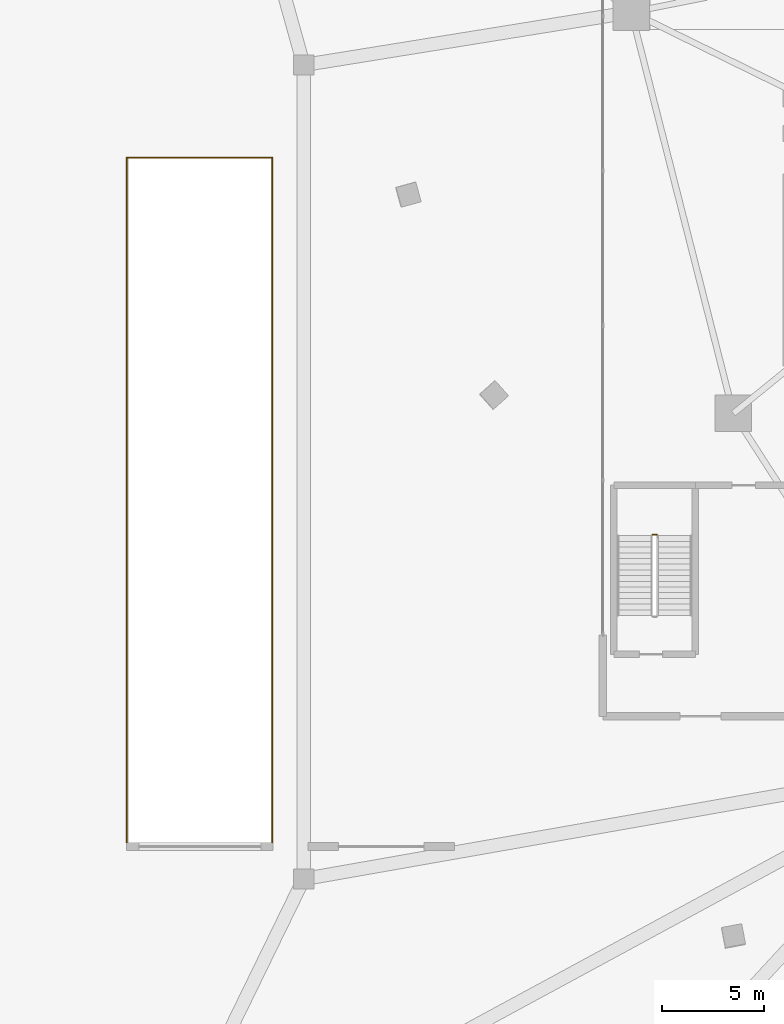
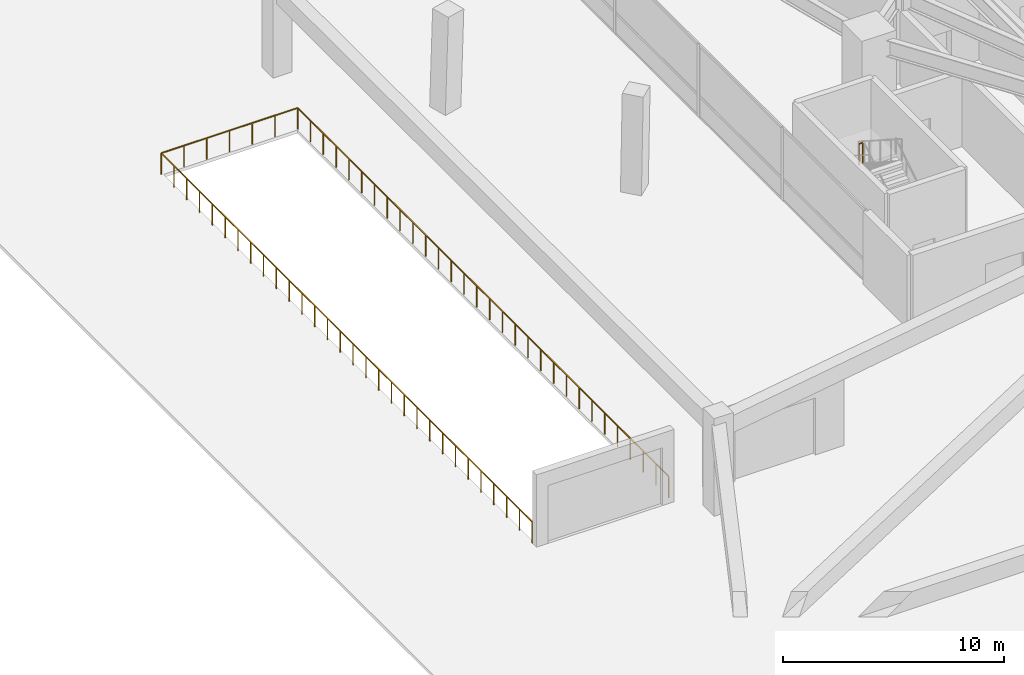
# One storey, part 16 of 19: 4 railings.
"""IFC4 building model written with IfcOpenShell, lengths in metres."""

from ifc_helpers import new_model, si_unit, direction, frame, origin, origin_2d, place, context, subcontext, project, spatial, rectangle, extrude, material, type_object, element, save


model = new_model("IFC4")

# Units and contexts
model_context = context("Model", 3, precision=1e-05, world=origin(), true_north=direction((0.0, 1.0)))
body_context = subcontext(model_context, "Body", "Model", "MODEL_VIEW")
ifc_project = project(units=[si_unit("LENGTHUNIT", "METRE"), si_unit("AREAUNIT", "SQUARE_METRE"), si_unit("VOLUMEUNIT", "CUBIC_METRE"), si_unit("PLANEANGLEUNIT", "RADIAN"), si_unit("MASSUNIT", "GRAM", prefix="KILO")], contexts=[model_context])

# Site, building, storey
site_placement = place(None, origin())
site = spatial("IfcSite", under=ifc_project, at=site_placement, CompositionType="ELEMENT")
building_placement = place(site_placement, origin())
building = spatial("IfcBuilding", under=site, at=building_placement, Name="Talyreon Biosciences Tower", CompositionType="ELEMENT")
storey_placement = place(building_placement, origin())
storey = spatial("IfcBuildingStorey", under=building, at=storey_placement, Name="L00", CompositionType="ELEMENT", Elevation=0.0)

# Railings
ifc_material = material(Name="Painted galvanised steel post-and-rail balustrade", Category="steel")
railing_type = type_object("IfcRailingType", Name="TerraceStairGuard_1200", PredefinedType="GUARDRAIL", material=ifc_material)
railing_1_placement = place(storey_placement, frame((25.10009765625, 37.800048828125, 0.0)))
element("IfcRailing", 1, at=railing_1_placement, inside=storey, type_object=railing_type, Name="L00 Vehicle Ramp Well Guardrail 1", PredefinedType="GUARDRAIL", context=body_context, shape_type="SweptSolid", body=[
    extrude(rectangle(XDim=0.048095703125, YDim=0.048095703125, at=origin_2d()), frame((0.0, 0.0, 1.17578125), z_axis=(0.0, 1.0, 0.0), x_axis=(-1.0, 0.0, 0.0)), (0.0, 0.0, 1.0), 33.64990234375),
    extrude(rectangle(XDim=0.0419921875, YDim=0.0419921875, at=origin_2d()), origin(), (0.0, 0.0, 1.0), 1.15185546875),
    extrude(rectangle(XDim=0.0419921875, YDim=0.0419921875, at=origin_2d()), frame((0.0, 1.160400390625, 0.0)), (0.0, 0.0, 1.0), 1.15185546875),
    extrude(rectangle(XDim=0.0419921875, YDim=0.0419921875, at=origin_2d()), frame((0.0, 2.32080078125, 0.0)), (0.0, 0.0, 1.0), 1.15185546875),
    extrude(rectangle(XDim=0.0419921875, YDim=0.0419921875, at=origin_2d()), frame((0.0, 3.48095703125, 0.0)), (0.0, 0.0, 1.0), 1.15185546875),
    extrude(rectangle(XDim=0.0419921875, YDim=0.0419921875, at=origin_2d()), frame((0.0, 4.641357421875, 0.0)), (0.0, 0.0, 1.0), 1.15185546875),
    extrude(rectangle(XDim=0.0419921875, YDim=0.0419921875, at=origin_2d()), frame((0.0, 5.8017578125, 0.0)), (0.0, 0.0, 1.0), 1.15185546875),
    extrude(rectangle(XDim=0.0419921875, YDim=0.0419921875, at=origin_2d()), frame((0.0, 6.962158203125, 0.0)), (0.0, 0.0, 1.0), 1.15185546875),
    extrude(rectangle(XDim=0.0419921875, YDim=0.0419921875, at=origin_2d()), frame((0.0, 8.122314453125, 0.0)), (0.0, 0.0, 1.0), 1.15185546875),
    extrude(rectangle(XDim=0.0419921875, YDim=0.0419921875, at=origin_2d()), frame((0.0, 9.28271484375, 0.0)), (0.0, 0.0, 1.0), 1.15185546875),
    extrude(rectangle(XDim=0.0419921875, YDim=0.0419921875, at=origin_2d()), frame((0.0, 10.443115234375, 0.0)), (0.0, 0.0, 1.0), 1.15185546875),
    extrude(rectangle(XDim=0.0419921875, YDim=0.0419921875, at=origin_2d()), frame((0.0, 11.603515625, 0.0)), (0.0, 0.0, 1.0), 1.15185546875),
    extrude(rectangle(XDim=0.0419921875, YDim=0.0419921875, at=origin_2d()), frame((0.0, 12.763671875, 0.0)), (0.0, 0.0, 1.0), 1.15185546875),
    extrude(rectangle(XDim=0.0419921875, YDim=0.0419921875, at=origin_2d()), frame((0.0, 13.924072265625, 0.0)), (0.0, 0.0, 1.0), 1.15185546875),
    extrude(rectangle(XDim=0.0419921875, YDim=0.0419921875, at=origin_2d()), frame((0.0, 15.08447265625, 0.0)), (0.0, 0.0, 1.0), 1.15185546875),
    extrude(rectangle(XDim=0.0419921875, YDim=0.0419921875, at=origin_2d()), frame((0.0, 16.244873046875, 0.0)), (0.0, 0.0, 1.0), 1.15185546875),
    extrude(rectangle(XDim=0.0419921875, YDim=0.0419921875, at=origin_2d()), frame((0.0, 17.405029296875, 0.0)), (0.0, 0.0, 1.0), 1.15185546875),
    extrude(rectangle(XDim=0.0419921875, YDim=0.0419921875, at=origin_2d()), frame((0.0, 18.5654296875, 0.0)), (0.0, 0.0, 1.0), 1.15185546875),
    extrude(rectangle(XDim=0.0419921875, YDim=0.0419921875, at=origin_2d()), frame((0.0, 19.725830078125, 0.0)), (0.0, 0.0, 1.0), 1.15185546875),
    extrude(rectangle(XDim=0.0419921875, YDim=0.0419921875, at=origin_2d()), frame((0.0, 20.88623046875, 0.0)), (0.0, 0.0, 1.0), 1.15185546875),
    extrude(rectangle(XDim=0.0419921875, YDim=0.0419921875, at=origin_2d()), frame((0.0, 22.04638671875, 0.0)), (0.0, 0.0, 1.0), 1.15185546875),
    extrude(rectangle(XDim=0.0419921875, YDim=0.0419921875, at=origin_2d()), frame((0.0, 23.206787109375, 0.0)), (0.0, 0.0, 1.0), 1.15185546875),
    extrude(rectangle(XDim=0.0419921875, YDim=0.0419921875, at=origin_2d()), frame((0.0, 24.3671875, 0.0)), (0.0, 0.0, 1.0), 1.15185546875),
    extrude(rectangle(XDim=0.0419921875, YDim=0.0419921875, at=origin_2d()), frame((0.0, 25.527587890625, 0.0)), (0.0, 0.0, 1.0), 1.15185546875),
    extrude(rectangle(XDim=0.0419921875, YDim=0.0419921875, at=origin_2d()), frame((0.0, 26.687744140625, 0.0)), (0.0, 0.0, 1.0), 1.15185546875),
    extrude(rectangle(XDim=0.0419921875, YDim=0.0419921875, at=origin_2d()), frame((0.0, 27.84814453125, 0.0)), (0.0, 0.0, 1.0), 1.15185546875),
    extrude(rectangle(XDim=0.0419921875, YDim=0.0419921875, at=origin_2d()), frame((0.0, 29.008544921875, 0.0)), (0.0, 0.0, 1.0), 1.15185546875),
    extrude(rectangle(XDim=0.0419921875, YDim=0.0419921875, at=origin_2d()), frame((0.0, 30.1689453125, 0.0)), (0.0, 0.0, 1.0), 1.15185546875),
    extrude(rectangle(XDim=0.0419921875, YDim=0.0419921875, at=origin_2d()), frame((0.0, 31.3291015625, 0.0)), (0.0, 0.0, 1.0), 1.15185546875),
    extrude(rectangle(XDim=0.0419921875, YDim=0.0419921875, at=origin_2d()), frame((0.0, 32.489501953125, 0.0)), (0.0, 0.0, 1.0), 1.15185546875),
    extrude(rectangle(XDim=0.0419921875, YDim=0.0419921875, at=origin_2d()), frame((0.0, 33.64990234375, 0.0)), (0.0, 0.0, 1.0), 1.15185546875),
])
railing_2_placement = place(storey_placement, frame((25.10009765625, 71.449951171875, 0.0)))
element("IfcRailing", 2, at=railing_2_placement, inside=storey, type_object=railing_type, Name="L00 Vehicle Ramp Well Guardrail 2", PredefinedType="GUARDRAIL", context=body_context, shape_type="SweptSolid", body=[
    extrude(rectangle(XDim=0.048095703125, YDim=0.048095703125, at=origin_2d()), frame((0.0, 0.0, 1.17578125), z_axis=(1.0, 0.0, 0.0), x_axis=(0.0, 1.0, 0.0)), (0.0, 0.0, 1.0), 7.14990234375),
    extrude(rectangle(XDim=0.0419921875, YDim=0.0419921875, at=origin_2d()), origin(), (0.0, 0.0, 1.0), 1.15185546875),
    extrude(rectangle(XDim=0.0419921875, YDim=0.0419921875, at=origin_2d()), frame((1.191650390625, 0.0, 0.0)), (0.0, 0.0, 1.0), 1.15185546875),
    extrude(rectangle(XDim=0.0419921875, YDim=0.0419921875, at=origin_2d()), frame((2.38330078125, 0.0, 0.0)), (0.0, 0.0, 1.0), 1.15185546875),
    extrude(rectangle(XDim=0.0419921875, YDim=0.0419921875, at=origin_2d()), frame((3.574951171875, 0.0, 0.0)), (0.0, 0.0, 1.0), 1.15185546875),
    extrude(rectangle(XDim=0.0419921875, YDim=0.0419921875, at=origin_2d()), frame((4.7666015625, 0.0, 0.0)), (0.0, 0.0, 1.0), 1.15185546875),
    extrude(rectangle(XDim=0.0419921875, YDim=0.0419921875, at=origin_2d()), frame((5.958251953125, 0.0, 0.0)), (0.0, 0.0, 1.0), 1.15185546875),
    extrude(rectangle(XDim=0.0419921875, YDim=0.0419921875, at=origin_2d()), frame((7.14990234375, 0.0, 0.0)), (0.0, 0.0, 1.0), 1.15185546875),
])
railing_3_placement = place(storey_placement, frame((32.25, 71.449951171875, 0.0)))
element("IfcRailing", 3, at=railing_3_placement, inside=storey, type_object=railing_type, Name="L00 Vehicle Ramp Well Guardrail 3", PredefinedType="GUARDRAIL", context=body_context, shape_type="SweptSolid", body=[
    extrude(rectangle(XDim=0.048095703125, YDim=0.048095703125, at=origin_2d()), frame((0.0, 0.0, 1.17578125), z_axis=(0.0, -1.0, 0.0), x_axis=(1.0, 0.0, 0.0)), (0.0, 0.0, 1.0), 33.64990234375),
    extrude(rectangle(XDim=0.0419921875, YDim=0.0419921875, at=origin_2d()), origin(), (0.0, 0.0, 1.0), 1.15185546875),
    extrude(rectangle(XDim=0.0419921875, YDim=0.0419921875, at=origin_2d()), frame((0.0, -1.160400390625, 0.0)), (0.0, 0.0, 1.0), 1.15185546875),
    extrude(rectangle(XDim=0.0419921875, YDim=0.0419921875, at=origin_2d()), frame((0.0, -2.32080078125, 0.0)), (0.0, 0.0, 1.0), 1.15185546875),
    extrude(rectangle(XDim=0.0419921875, YDim=0.0419921875, at=origin_2d()), frame((0.0, -3.48095703125, 0.0)), (0.0, 0.0, 1.0), 1.15185546875),
    extrude(rectangle(XDim=0.0419921875, YDim=0.0419921875, at=origin_2d()), frame((0.0, -4.641357421875, 0.0)), (0.0, 0.0, 1.0), 1.15185546875),
    extrude(rectangle(XDim=0.0419921875, YDim=0.0419921875, at=origin_2d()), frame((0.0, -5.8017578125, 0.0)), (0.0, 0.0, 1.0), 1.15185546875),
    extrude(rectangle(XDim=0.0419921875, YDim=0.0419921875, at=origin_2d()), frame((0.0, -6.962158203125, 0.0)), (0.0, 0.0, 1.0), 1.15185546875),
    extrude(rectangle(XDim=0.0419921875, YDim=0.0419921875, at=origin_2d()), frame((0.0, -8.122314453125, 0.0)), (0.0, 0.0, 1.0), 1.15185546875),
    extrude(rectangle(XDim=0.0419921875, YDim=0.0419921875, at=origin_2d()), frame((0.0, -9.28271484375, 0.0)), (0.0, 0.0, 1.0), 1.15185546875),
    extrude(rectangle(XDim=0.0419921875, YDim=0.0419921875, at=origin_2d()), frame((0.0, -10.443115234375, 0.0)), (0.0, 0.0, 1.0), 1.15185546875),
    extrude(rectangle(XDim=0.0419921875, YDim=0.0419921875, at=origin_2d()), frame((0.0, -11.603515625, 0.0)), (0.0, 0.0, 1.0), 1.15185546875),
    extrude(rectangle(XDim=0.0419921875, YDim=0.0419921875, at=origin_2d()), frame((0.0, -12.763671875, 0.0)), (0.0, 0.0, 1.0), 1.15185546875),
    extrude(rectangle(XDim=0.0419921875, YDim=0.0419921875, at=origin_2d()), frame((0.0, -13.924072265625, 0.0)), (0.0, 0.0, 1.0), 1.15185546875),
    extrude(rectangle(XDim=0.0419921875, YDim=0.0419921875, at=origin_2d()), frame((0.0, -15.08447265625, 0.0)), (0.0, 0.0, 1.0), 1.15185546875),
    extrude(rectangle(XDim=0.0419921875, YDim=0.0419921875, at=origin_2d()), frame((0.0, -16.244873046875, 0.0)), (0.0, 0.0, 1.0), 1.15185546875),
    extrude(rectangle(XDim=0.0419921875, YDim=0.0419921875, at=origin_2d()), frame((0.0, -17.405029296875, 0.0)), (0.0, 0.0, 1.0), 1.15185546875),
    extrude(rectangle(XDim=0.0419921875, YDim=0.0419921875, at=origin_2d()), frame((0.0, -18.5654296875, 0.0)), (0.0, 0.0, 1.0), 1.15185546875),
    extrude(rectangle(XDim=0.0419921875, YDim=0.0419921875, at=origin_2d()), frame((0.0, -19.725830078125, 0.0)), (0.0, 0.0, 1.0), 1.15185546875),
    extrude(rectangle(XDim=0.0419921875, YDim=0.0419921875, at=origin_2d()), frame((0.0, -20.88623046875, 0.0)), (0.0, 0.0, 1.0), 1.15185546875),
    extrude(rectangle(XDim=0.0419921875, YDim=0.0419921875, at=origin_2d()), frame((0.0, -22.04638671875, 0.0)), (0.0, 0.0, 1.0), 1.15185546875),
    extrude(rectangle(XDim=0.0419921875, YDim=0.0419921875, at=origin_2d()), frame((0.0, -23.206787109375, 0.0)), (0.0, 0.0, 1.0), 1.15185546875),
    extrude(rectangle(XDim=0.0419921875, YDim=0.0419921875, at=origin_2d()), frame((0.0, -24.3671875, 0.0)), (0.0, 0.0, 1.0), 1.15185546875),
    extrude(rectangle(XDim=0.0419921875, YDim=0.0419921875, at=origin_2d()), frame((0.0, -25.527587890625, 0.0)), (0.0, 0.0, 1.0), 1.15185546875),
    extrude(rectangle(XDim=0.0419921875, YDim=0.0419921875, at=origin_2d()), frame((0.0, -26.687744140625, 0.0)), (0.0, 0.0, 1.0), 1.15185546875),
    extrude(rectangle(XDim=0.0419921875, YDim=0.0419921875, at=origin_2d()), frame((0.0, -27.84814453125, 0.0)), (0.0, 0.0, 1.0), 1.15185546875),
    extrude(rectangle(XDim=0.0419921875, YDim=0.0419921875, at=origin_2d()), frame((0.0, -29.008544921875, 0.0)), (0.0, 0.0, 1.0), 1.15185546875),
    extrude(rectangle(XDim=0.0419921875, YDim=0.0419921875, at=origin_2d()), frame((0.0, -30.1689453125, 0.0)), (0.0, 0.0, 1.0), 1.15185546875),
    extrude(rectangle(XDim=0.0419921875, YDim=0.0419921875, at=origin_2d()), frame((0.0, -31.3291015625, 0.0)), (0.0, 0.0, 1.0), 1.15185546875),
    extrude(rectangle(XDim=0.0419921875, YDim=0.0419921875, at=origin_2d()), frame((0.0, -32.489501953125, 0.0)), (0.0, 0.0, 1.0), 1.15185546875),
    extrude(rectangle(XDim=0.0419921875, YDim=0.0419921875, at=origin_2d()), frame((0.0, -33.64990234375, 0.0)), (0.0, 0.0, 1.0), 1.15185546875),
])
railing_4_placement = place(storey_placement, frame((51.139892578125, 52.919921875, 2.699951171875)))
element("IfcRailing", 4, at=railing_4_placement, inside=storey, type_object=railing_type, Name="L00 ST-3 stair guard 2", PredefinedType="GUARDRAIL", context=body_context, shape_type="SweptSolid", body=[
    extrude(rectangle(XDim=0.048095703125, YDim=0.048095703125, at=origin_2d()), frame((0.0, 0.0, 1.17578125), z_axis=(-1.0, 0.0, 0.0), x_axis=(0.0, -1.0, 0.0)), (0.0, 0.0, 1.0), 0.199951171875),
    extrude(rectangle(XDim=0.0419921875, YDim=0.0419921875, at=origin_2d()), origin(), (0.0, 0.0, 1.0), 1.15185546875),
    extrude(rectangle(XDim=0.0419921875, YDim=0.0419921875, at=origin_2d()), frame((-0.199951171875, 0.0, 0.0)), (0.0, 0.0, 1.0), 1.15185546875),
])

save(model, "model.ifc")
